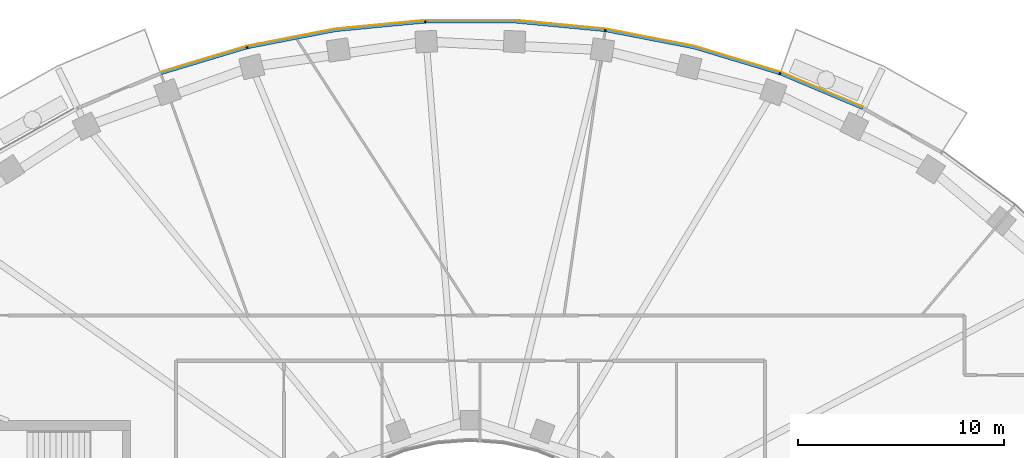
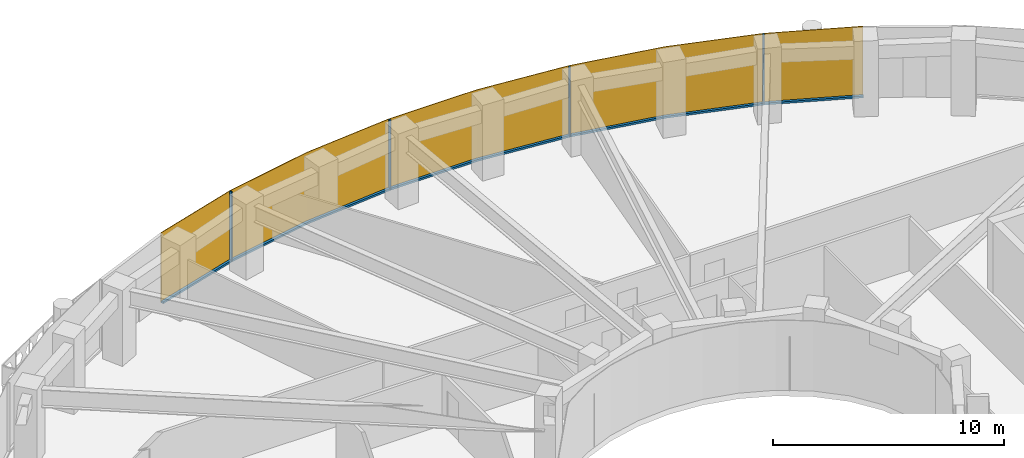
# One storey, part 12 of 15: 9 members, 1 curtain wall.
"""IFC4 building model written with IfcOpenShell, lengths in metres."""

from ifc_helpers import new_model, si_unit, direction, frame, origin, origin_2d, place, context, subcontext, project, spatial, polyline, rectangle, outline, extrude, material, layer, layer_set, material_profile, profile_set, type_object, element, aggregate, save


model = new_model("IFC4")

# Units and contexts
model_context = context("Model", 3, precision=1e-05, world=origin(), true_north=direction((0.0, 1.0)))
body_context = subcontext(model_context, "Body", "Model", "MODEL_VIEW")
ifc_project = project(units=[si_unit("LENGTHUNIT", "METRE"), si_unit("AREAUNIT", "SQUARE_METRE"), si_unit("VOLUMEUNIT", "CUBIC_METRE"), si_unit("PLANEANGLEUNIT", "RADIAN"), si_unit("MASSUNIT", "GRAM", prefix="KILO")], contexts=[model_context])

# Member
ifc_material_1 = material(Name="Aluminium 6063-T6 black anodised", Category="aluminium")
ifc_material_profile = material_profile(ifc_material_1, rectangle(XDim=0.1201171875, YDim=0.06005859375, at=origin_2d()), Name="120x60")
ifc_profile_set = profile_set([ifc_material_profile], Name="Aluminium 6063-T6 black anodised")
member_type_1 = type_object("IfcMemberType", Name="ENV-MULLION-A-120", PredefinedType="MULLION", material=ifc_profile_set)
site_placement = place(None, origin())
building_placement = place(site_placement, origin())
storey_placement = place(building_placement, frame((0.0, 0.0, 277.5)))
member_1_placement = place(storey_placement, frame((15.0341796875, 25.34375, 0.0), z_axis=(0.0, 0.0, 1.0), x_axis=(-0.338379256581, -0.941009818608, 0.0)))
member_1 = element("IfcMember", 1, at=member_1_placement, type_object=member_type_1, Name="Mullion A radial 09", PredefinedType="MULLION", context=body_context, shape_type="SweptSolid", body=[
    extrude(rectangle(XDim=0.1201171875, YDim=0.06005859375, at=origin_2d()), origin(), (0.0, 0.0, 1.0), 3.699951171875),
])

member_2_placement = place(storey_placement, frame((6.54638671875, 27.440185546875, 0.0), z_axis=(0.0, 0.0, 1.0), x_axis=(-0.143082012705, -0.989710835366, 0.0)))
member_2 = element("IfcMember", 2, at=member_2_placement, type_object=member_type_1, Name="Mullion A radial 11", PredefinedType="MULLION", context=body_context, shape_type="SweptSolid", body=[
    extrude(rectangle(XDim=0.1201171875, YDim=0.06005859375, at=origin_2d()), origin(), (0.0, 0.0, 1.0), 3.699951171875),
])

member_3_placement = place(storey_placement, frame((-2.188720703125, 27.856201171875, 0.0), z_axis=(0.0, 0.0, 1.0), x_axis=(0.047557873581, -0.998868484166, 0.0)))
member_3 = element("IfcMember", 3, at=member_3_placement, type_object=member_type_1, Name="Mullion A radial 13", PredefinedType="MULLION", context=body_context, shape_type="SweptSolid", body=[
    extrude(rectangle(XDim=0.1201171875, YDim=0.06005859375, at=origin_2d()), origin(), (0.0, 0.0, 1.0), 3.699951171875),
])

member_4_placement = place(storey_placement, frame((-10.84326171875, 26.60498046875, 0.0), z_axis=(0.0, 0.0, 1.0), x_axis=(0.239799081534, -0.970822538106, 0.0)))
member_4 = element("IfcMember", 4, at=member_4_placement, type_object=member_type_1, Name="Mullion A radial 15", PredefinedType="MULLION", context=body_context, shape_type="SweptSolid", body=[
    extrude(rectangle(XDim=0.1201171875, YDim=0.06005859375, at=origin_2d()), origin(), (0.0, 0.0, 1.0), 3.699951171875),
])

ifc_material_2 = material(Name="Aluminium 6063-T6 black anodised", Category="aluminium")
member_type_2 = type_object("IfcMemberType", Name="ENV-TRANSOM-A", PredefinedType="USERDEFINED", material=ifc_material_2)
member_5_placement = place(storey_placement, origin())
member_5 = element("IfcMember", 5, at=member_5_placement, type_object=member_type_2, Name="Transom A radial 08-09", ObjectType="TRANSOM", PredefinedType="USERDEFINED", context=body_context, shape_type="SweptSolid", body=[
    extrude(outline(polyline([(19.07568359375, 23.709228515625), (15.080322265625, 25.389404296875), (15.03955078125, 25.276123046875), (19.02294921875, 23.601318359375), (19.07568359375, 23.709228515625)])), origin(), (0.0, 0.0, 1.0), 0.10009765625),
])

member_6_placement = place(storey_placement, origin())
member_6 = element("IfcMember", 6, at=member_6_placement, type_object=member_type_2, Name="Transom A radial 09-11", ObjectType="TRANSOM", PredefinedType="USERDEFINED", context=body_context, shape_type="SweptSolid", body=[
    extrude(outline(polyline([(15.027587890625, 25.408203125), (10.857666015625, 26.6630859375), (6.58251953125, 27.494140625), (6.5654296875, 27.375244140625), (10.828857421875, 26.54638671875), (14.987060546875, 25.295166015625), (15.027587890625, 25.408203125)])), origin(), (0.0, 0.0, 1.0), 0.10009765625),
])

member_7_placement = place(storey_placement, origin())
member_7 = element("IfcMember", 7, at=member_7_placement, type_object=member_type_2, Name="Transom A radial 11-13", ObjectType="TRANSOM", PredefinedType="USERDEFINED", context=body_context, shape_type="SweptSolid", body=[
    extrude(outline(polyline([(6.527099609375, 27.502197265625), (2.191650390625, 27.916015625), (-2.163818359375, 27.916015625), (-2.157958984375, 27.7958984375), (2.185791015625, 27.7958984375), (6.510009765625, 27.38330078125), (6.527099609375, 27.502197265625)])), origin(), (0.0, 0.0, 1.0), 0.10009765625),
])

member_8_placement = place(storey_placement, origin())
member_8 = element("IfcMember", 8, at=member_8_placement, type_object=member_type_2, Name="Transom A radial 13-15", ObjectType="TRANSOM", PredefinedType="USERDEFINED", context=body_context, shape_type="SweptSolid", body=[
    extrude(outline(polyline([(-2.219482421875, 27.913330078125), (-6.55517578125, 27.49951171875), (-10.830078125, 26.66845703125), (-10.80126953125, 26.552001953125), (-6.537841796875, 27.380615234375), (-2.2138671875, 27.793212890625), (-2.219482421875, 27.913330078125)])), origin(), (0.0, 0.0, 1.0), 0.10009765625),
])

member_9_placement = place(storey_placement, origin())
member_9 = element("IfcMember", 9, at=member_9_placement, type_object=member_type_2, Name="Transom A radial 15-16", ObjectType="TRANSOM", PredefinedType="USERDEFINED", context=body_context, shape_type="SweptSolid", body=[
    extrude(outline(polyline([(-10.884521484375, 26.655029296875), (-15.035400390625, 25.406005859375), (-14.99462890625, 25.292724609375), (-10.855712890625, 26.53857421875), (-10.884521484375, 26.655029296875)])), origin(), (0.0, 0.0, 1.0), 0.10009765625),
])

# Site, building, storey
site = spatial("IfcSite", under=ifc_project, at=site_placement, CompositionType="ELEMENT")
building = spatial("IfcBuilding", under=site, at=building_placement, Name="Noorbagh Ring Tower", CompositionType="ELEMENT")
storey = spatial("IfcBuildingStorey", under=building, at=storey_placement, Name="L59", CompositionType="ELEMENT", Elevation=277.5)

# Curtain wall
ifc_material_3 = material(Name="Glass dark tinted laminated", Category="glass")
ifc_layer = layer(ifc_material_3, 0.031982421875)
ifc_layer_set = layer_set([ifc_layer], Name="Glass dark tinted laminated")
curtain_wall_type = type_object("IfcCurtainWallType", Name="ENV-CW-A", PredefinedType="NOTDEFINED", material=ifc_layer_set)
curtain_wall_placement = place(storey_placement, origin())
curtain_wall = element("IfcCurtainWall", 10, at=curtain_wall_placement, inside=storey, type_object=curtain_wall_type, Name="Curtain wall A R08", PredefinedType="NOTDEFINED", context=body_context, shape_type="SweptSolid", body=[
    extrude(outline(polyline([(19.08984375, 23.738037109375), (15.065185546875, 25.430419921875), (10.865234375, 26.6943359375), (6.559814453125, 27.53125), (2.193115234375, 27.947998046875), (-2.193115234375, 27.947998046875), (-6.559814453125, 27.53125), (-10.865234375, 26.6943359375), (-15.046142578125, 25.43603515625), (-15.035400390625, 25.406005859375), (-10.857666015625, 26.6630859375), (-6.55517578125, 27.49951171875), (-2.191650390625, 27.916015625), (2.191650390625, 27.916015625), (6.55517578125, 27.49951171875), (10.857666015625, 26.6630859375), (15.054443359375, 25.400146484375), (19.07568359375, 23.709228515625), (19.08984375, 23.738037109375)])), origin(), (0.0, 0.0, 1.0), 3.699951171875),
])

aggregate(curtain_wall, [member_1, member_2, member_3, member_4, member_5, member_6, member_7, member_8, member_9])

save(model, "model.ifc")
